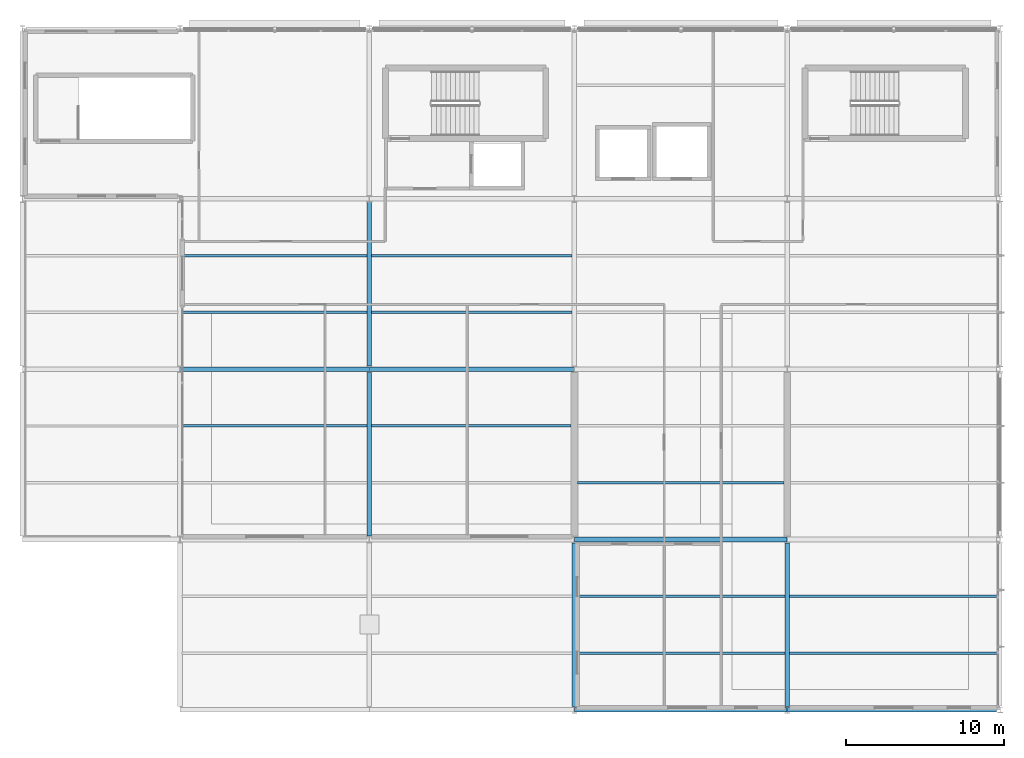
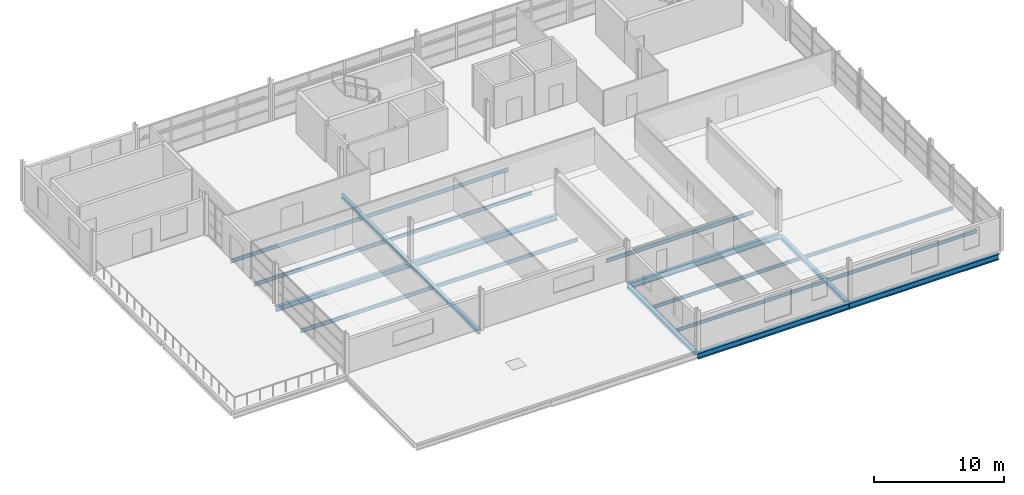
# One storey, part 9 of 33: 20 beams.
"""IFC4 building model written with IfcOpenShell, lengths in metres."""

from ifc_helpers import new_model, si_unit, direction, frame, origin, origin_2d, place, context, subcontext, project, spatial, i_section, extrude, material, material_profile, profile_set, type_object, element, save


model = new_model("IFC4")

# Units and contexts
model_context = context("Model", 3, precision=1e-05, world=origin(), true_north=direction((0.0, 1.0)))
body_context = subcontext(model_context, "Body", "Model", "MODEL_VIEW")
ifc_project = project(units=[si_unit("LENGTHUNIT", "METRE"), si_unit("AREAUNIT", "SQUARE_METRE"), si_unit("VOLUMEUNIT", "CUBIC_METRE"), si_unit("PLANEANGLEUNIT", "RADIAN"), si_unit("MASSUNIT", "GRAM", prefix="KILO")], contexts=[model_context])

# Site, building, storey
site_placement = place(None, origin())
site = spatial("IfcSite", under=ifc_project, at=site_placement, CompositionType="ELEMENT")
building_placement = place(site_placement, origin())
building = spatial("IfcBuilding", under=site, at=building_placement, Name="Tamarisk Ironworks Central Station", CompositionType="ELEMENT")
storey_placement = place(building_placement, frame((0.0, 0.0, 21.300048828125)))
storey = spatial("IfcBuildingStorey", under=building, at=storey_placement, Name="L04", CompositionType="ELEMENT", Elevation=21.300048828125)

# Beams
ifc_material = material(Name="Structural steel S355J2", Category="steel")
ifc_material_profile_1 = material_profile(ifc_material, i_section(OverallWidth=0.159912109375, OverallDepth=0.330078125, WebThickness=0.007568359375, FlangeThickness=0.011474609375, at=origin_2d()), Name="IPE 330")
ifc_profile_set_1 = profile_set([ifc_material_profile_1], Name="Structural steel S355J2")
beam_type_1 = type_object("IfcBeamType", Name="BM-B06", PredefinedType="BEAM", material=ifc_profile_set_1)
for number, where, z_axis, x_axis, name in (
    (1, (128.135009765625, 97.199951171875, -0.385009765625), (1.0, 0.0, 0.0), (0.0, 1.0, 0.0), "L04 secondary composite beam 0238"),
    (2, (128.135009765625, 104.39990234375, -0.385009765625), (1.0, 0.0, 0.0), (0.0, 1.0, 0.0), "L04 secondary composite beam 0239"),
    (3, (128.135009765625, 108.0, -0.385009765625), (1.0, 0.0, 0.0), (0.0, 1.0, 0.0), "L04 secondary composite beam 0240"),
):
    element("IfcBeam", number, at=place(storey_placement, frame(where, z_axis=z_axis, x_axis=x_axis)), inside=storey, type_object=beam_type_1, Name=name, PredefinedType="BEAM", context=body_context, shape_type="SweptSolid", body=[
        extrude(i_section(OverallWidth=0.159912109375, OverallDepth=0.330078125, WebThickness=0.007568359375, FlangeThickness=0.011474609375, at=origin_2d()), origin(), (0.0, 0.0, 1.0), 11.72998046875),
    ])
beam_1_placement = place(storey_placement, frame((140.135009765625, 97.199951171875, -0.385009765625), z_axis=(1.0, 0.0, 0.0), x_axis=(0.0, 1.0, 0.0)))
element("IfcBeam", 4, at=beam_1_placement, inside=storey, type_object=beam_type_1, Name="L04 secondary composite beam 0242", PredefinedType="BEAM", context=body_context, shape_type="SweptSolid", body=[
    extrude(i_section(OverallWidth=0.159912109375, OverallDepth=0.330078125, WebThickness=0.007568359375, FlangeThickness=0.011474609375, at=origin_2d()), origin(), (0.0, 0.0, 1.0), 12.6650390625),
])
for number, where, z_axis, x_axis, name in (
    (5, (140.135009765625, 104.39990234375, -0.385009765625), (1.0, 0.0, 0.0), (0.0, 1.0, 0.0), "L04 secondary composite beam 0243"),
    (6, (140.135009765625, 108.0, -0.385009765625), (1.0, 0.0, 0.0), (0.0, 1.0, 0.0), "L04 secondary composite beam 0244"),
):
    element("IfcBeam", number, at=place(storey_placement, frame(where, z_axis=z_axis, x_axis=x_axis)), inside=storey, type_object=beam_type_1, Name=name, PredefinedType="BEAM", context=body_context, shape_type="SweptSolid", body=[
        extrude(i_section(OverallWidth=0.159912109375, OverallDepth=0.330078125, WebThickness=0.007568359375, FlangeThickness=0.011474609375, at=origin_2d()), origin(), (0.0, 0.0, 1.0), 12.72998046875),
    ])
beam_2_placement = place(storey_placement, frame((153.199951171875, 93.60009765625, -0.385009765625), z_axis=(1.0, 0.0, 0.0), x_axis=(0.0, 1.0, 0.0)))
element("IfcBeam", 7, at=beam_2_placement, inside=storey, type_object=beam_type_1, Name="L04 secondary composite beam 0245", PredefinedType="BEAM", context=body_context, shape_type="SweptSolid", body=[
    extrude(i_section(OverallWidth=0.159912109375, OverallDepth=0.330078125, WebThickness=0.007568359375, FlangeThickness=0.011474609375, at=origin_2d()), origin(), (0.0, 0.0, 1.0), 13.10009765625),
])
ifc_material_profile_2 = material_profile(ifc_material, i_section(OverallWidth=0.14990234375, OverallDepth=0.300048828125, WebThickness=0.007080078125, FlangeThickness=0.0107421875, at=origin_2d()), Name="IPE 300")
ifc_profile_set_2 = profile_set([ifc_material_profile_2], Name="Structural steel S355J2")
beam_type_2 = type_object("IfcBeamType", Name="BM-B07", PredefinedType="BEAM", material=ifc_profile_set_2)
for number, where, z_axis, x_axis, name in (
    (8, (153.135009765625, 82.800048828125, -0.3701171875), (1.0, 0.0, 0.0), (0.0, 1.0, 0.0), "L04 secondary composite beam 0258"),
    (9, (153.135009765625, 86.39990234375, -0.3701171875), (1.0, 0.0, 0.0), (0.0, 1.0, 0.0), "L04 secondary composite beam 0259"),
):
    element("IfcBeam", number, at=place(storey_placement, frame(where, z_axis=z_axis, x_axis=x_axis)), inside=storey, type_object=beam_type_2, Name=name, PredefinedType="BEAM", context=body_context, shape_type="SweptSolid", body=[
        extrude(i_section(OverallWidth=0.14990234375, OverallDepth=0.300048828125, WebThickness=0.007080078125, FlangeThickness=0.0107421875, at=origin_2d()), origin(), (0.0, 0.0, 1.0), 13.22998046875),
    ])
for number, where, z_axis, x_axis, name in (
    (10, (166.635009765625, 82.800048828125, -0.3701171875), (1.0, 0.0, 0.0), (0.0, 1.0, 0.0), "L04 secondary composite beam 0260"),
    (11, (166.635009765625, 86.39990234375, -0.3701171875), (1.0, 0.0, 0.0), (0.0, 1.0, 0.0), "L04 secondary composite beam 0261"),
):
    element("IfcBeam", number, at=place(storey_placement, frame(where, z_axis=z_axis, x_axis=x_axis)), inside=storey, type_object=beam_type_2, Name=name, PredefinedType="BEAM", context=body_context, shape_type="SweptSolid", body=[
        extrude(i_section(OverallWidth=0.14990234375, OverallDepth=0.300048828125, WebThickness=0.007080078125, FlangeThickness=0.0107421875, at=origin_2d()), origin(), (0.0, 0.0, 1.0), 13.280029296875),
    ])
ifc_material_profile_3 = material_profile(ifc_material, i_section(OverallWidth=0.300048828125, OverallDepth=0.5400390625, WebThickness=0.012451171875, FlangeThickness=0.02392578125, at=origin_2d()), Name="HEA 550")
ifc_profile_set_3 = profile_set([ifc_material_profile_3], Name="Structural steel S355J2")
beam_type_3 = type_object("IfcBeamType", Name="BM-G04", PredefinedType="BEAM", material=ifc_profile_set_3)
beam_3_placement = place(storey_placement, frame((153.00390625, 79.199951171875, -0.489990234375), z_axis=(1.0, 0.0, 0.0), x_axis=(0.0, 1.0, 0.0)))
element("IfcBeam", 12, at=beam_3_placement, inside=storey, type_object=beam_type_3, Name="L04 primary girder X-0708", PredefinedType="BEAM", context=body_context, shape_type="SweptSolid", body=[
    extrude(i_section(OverallWidth=0.300048828125, OverallDepth=0.5400390625, WebThickness=0.012451171875, FlangeThickness=0.02392578125, at=origin_2d()), origin(), (0.0, 0.0, 1.0), 13.4921875),
])
beam_4_placement = place(storey_placement, frame((166.50390625, 79.199951171875, -0.489990234375), z_axis=(1.0, 0.0, 0.0), x_axis=(0.0, 1.0, 0.0)))
element("IfcBeam", 13, at=beam_4_placement, inside=storey, type_object=beam_type_3, Name="L04 primary girder X-0709", PredefinedType="BEAM", context=body_context, shape_type="SweptSolid", body=[
    extrude(i_section(OverallWidth=0.300048828125, OverallDepth=0.5400390625, WebThickness=0.012451171875, FlangeThickness=0.02392578125, at=origin_2d()), origin(), (0.0, 0.0, 1.0), 13.258056640625),
])
beam_5_placement = place(storey_placement, frame((153.00390625, 90.0, -0.489990234375), z_axis=(1.0, 0.0, 0.0), x_axis=(0.0, 1.0, 0.0)))
element("IfcBeam", 14, at=beam_5_placement, inside=storey, type_object=beam_type_3, Name="L04 primary girder X-0713", PredefinedType="BEAM", context=body_context, shape_type="SweptSolid", body=[
    extrude(i_section(OverallWidth=0.300048828125, OverallDepth=0.5400390625, WebThickness=0.012451171875, FlangeThickness=0.02392578125, at=origin_2d()), origin(), (0.0, 0.0, 1.0), 13.4921875),
])
beam_6_placement = place(storey_placement, frame((140.00390625, 100.800048828125, -0.489990234375), z_axis=(1.0, 0.0, 0.0), x_axis=(0.0, 1.0, 0.0)))
element("IfcBeam", 15, at=beam_6_placement, inside=storey, type_object=beam_type_3, Name="L04 primary girder X-0717", PredefinedType="BEAM", context=body_context, shape_type="SweptSolid", body=[
    extrude(i_section(OverallWidth=0.300048828125, OverallDepth=0.5400390625, WebThickness=0.012451171875, FlangeThickness=0.02392578125, at=origin_2d()), origin(), (0.0, 0.0, 1.0), 12.9921875),
])
ifc_material_profile_4 = material_profile(ifc_material, i_section(OverallWidth=0.300048828125, OverallDepth=0.43994140625, WebThickness=0.011474609375, FlangeThickness=0.02099609375, at=origin_2d()), Name="HEA 450")
ifc_profile_set_4 = profile_set([ifc_material_profile_4], Name="Structural steel S355J2")
beam_type_4 = type_object("IfcBeamType", Name="BM-G06", PredefinedType="BEAM", material=ifc_profile_set_4)
beam_7_placement = place(storey_placement, frame((128.00390625, 100.800048828125, -0.43994140625), z_axis=(1.0, 0.0, 0.0), x_axis=(0.0, 1.0, 0.0)))
element("IfcBeam", 16, at=beam_7_placement, inside=storey, type_object=beam_type_4, Name="L04 primary girder X-0716", PredefinedType="BEAM", context=body_context, shape_type="SweptSolid", body=[
    extrude(i_section(OverallWidth=0.300048828125, OverallDepth=0.43994140625, WebThickness=0.011474609375, FlangeThickness=0.02099609375, at=origin_2d()), origin(), (0.0, 0.0, 1.0), 11.9921875),
])
ifc_material_profile_5 = material_profile(ifc_material, i_section(OverallWidth=0.300048828125, OverallDepth=0.35009765625, WebThickness=0.010009765625, FlangeThickness=0.017578125, at=origin_2d()), Name="HEA 360")
ifc_profile_set_5 = profile_set([ifc_material_profile_5], Name="Structural steel S355J2")
beam_type_5 = type_object("IfcBeamType", Name="BM-G08", PredefinedType="BEAM", material=ifc_profile_set_5)
for number, where, z_axis, x_axis, name in (
    (17, (140.0, 90.212890625, -0.39501953125), (0.0, 1.0, 0.0), (-1.0, 0.0, 0.0), "L04 primary girder Y-0737"),
    (18, (140.0, 101.012939453125, -0.39501953125), (0.0, 1.0, 0.0), (-1.0, 0.0, 0.0), "L04 primary girder Y-0738"),
    (19, (153.0, 79.4130859375, -0.39501953125), (0.0, 1.0, 0.0), (-1.0, 0.0, 0.0), "L04 primary girder Y-0740"),
    (20, (166.5, 79.4130859375, -0.39501953125), (0.0, 1.0, 0.0), (-1.0, 0.0, 0.0), "L04 primary girder Y-0743"),
):
    element("IfcBeam", number, at=place(storey_placement, frame(where, z_axis=z_axis, x_axis=x_axis)), inside=storey, type_object=beam_type_5, Name=name, PredefinedType="BEAM", context=body_context, shape_type="SweptSolid", body=[
        extrude(i_section(OverallWidth=0.300048828125, OverallDepth=0.35009765625, WebThickness=0.010009765625, FlangeThickness=0.017578125, at=origin_2d()), origin(), (0.0, 0.0, 1.0), 10.3740234375),
    ])

save(model, "model.ifc")
